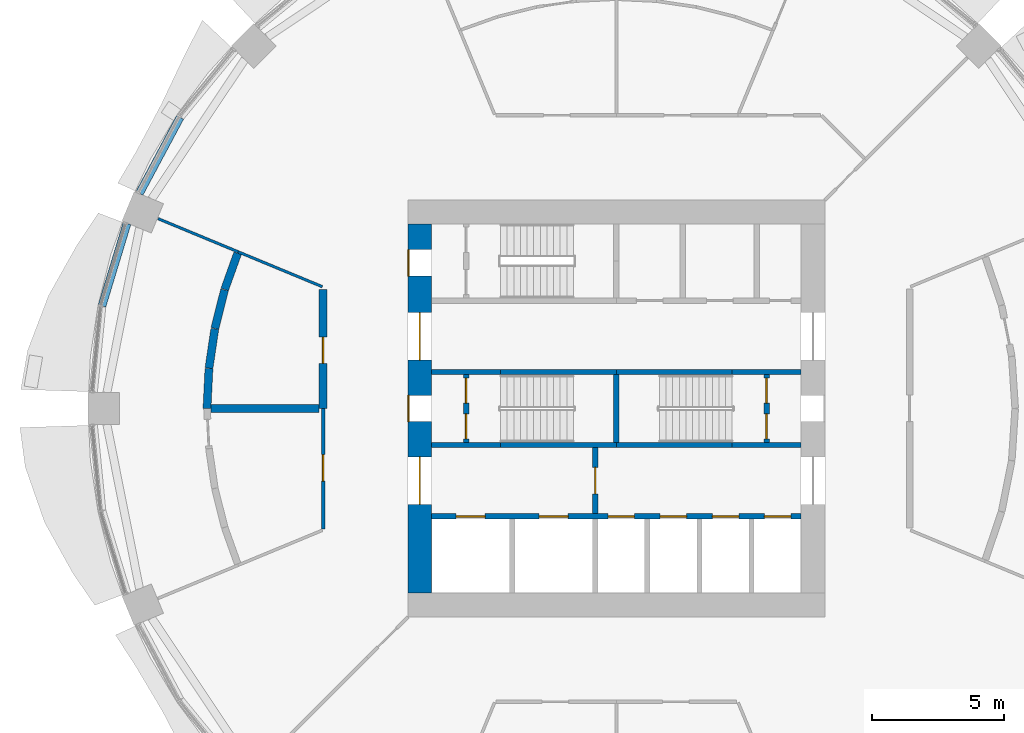
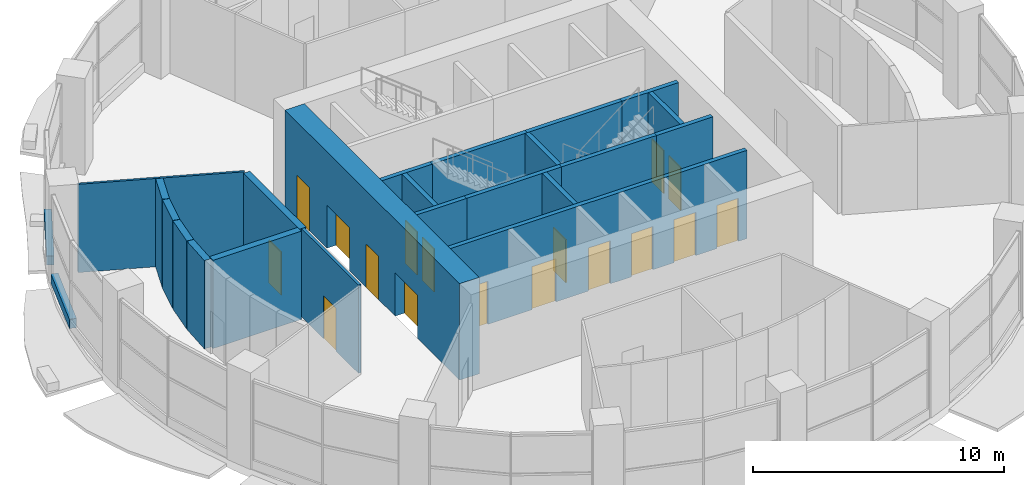
# One storey, part 8 of 14: 25 walls, 17 doors, 17 openings.
"""IFC4 building model written with IfcOpenShell, lengths in metres."""

from ifc_helpers import new_model, si_unit, direction, frame, frame_2d, origin, place, context, subcontext, project, spatial, rectangle, extrude, material, layer, layer_set, type_object, element, fill, save


model = new_model("IFC4")

# Units and contexts
model_context = context("Model", 3, precision=1e-05, world=origin(), true_north=direction((0.0, 1.0)))
body_context = subcontext(model_context, "Body", "Model", "MODEL_VIEW")
ifc_project = project(units=[si_unit("LENGTHUNIT", "METRE"), si_unit("AREAUNIT", "SQUARE_METRE"), si_unit("VOLUMEUNIT", "CUBIC_METRE"), si_unit("PLANEANGLEUNIT", "RADIAN"), si_unit("MASSUNIT", "GRAM", prefix="KILO")], contexts=[model_context])

# Site, building, storey
site_placement = place(None, origin())
site = spatial("IfcSite", under=ifc_project, at=site_placement, CompositionType="ELEMENT")
building_placement = place(site_placement, origin())
building = spatial("IfcBuilding", under=site, at=building_placement, Name="Polderwave Tower", CompositionType="ELEMENT")
storey_placement = place(building_placement, frame((0.0, 0.0, 5.199951171875)))
storey = spatial("IfcBuildingStorey", under=building, at=storey_placement, Name="L01", CompositionType="ELEMENT", Elevation=5.199951171875)

# Wall, openings, doors
ifc_material_1 = material(Name="Concrete C80/95", Category="concrete")
ifc_layer_1 = layer(ifc_material_1, 0.89990234375)
ifc_layer_set_1 = layer_set([ifc_layer_1], Name="CORE WALL 900 C80/95")
wall_type_1 = type_object("IfcWallType", Name="CORE WALL 900 C80/95", PredefinedType="SHEAR", material=ifc_layer_set_1)
wall_1_placement = place(storey_placement, frame((-7.424072265625, -6.97412109375, 0.0), z_axis=(0.0, 0.0, 1.0), x_axis=(0.0, 1.0, 0.0)))
wall_1 = element("IfcWall", 1, at=wall_1_placement, inside=storey, type_object=wall_type_1, Name="ST-CORE-L01-W", PredefinedType="SHEAR", context=body_context, shape_type="SweptSolid", body=[
    extrude(rectangle(XDim=13.9482421875, YDim=0.89990234375, at=frame_2d((6.97412109375, 0.0))), origin(), (0.0, 0.0, 1.0), 4.699951171875),
])
opening_1_placement = place(wall_1_placement, frame((6.47412109375, 0.0, 0.0)))
opening_1 = element("IfcOpeningElement", 2, at=opening_1_placement, cuts=wall_1, Name="Opening L01-D17", PredefinedType="OPENING", context=body_context, shape_type="SweptSolid", body=[
    extrude(rectangle(XDim=1.0, YDim=2.10009765625, at=frame_2d((0.5, 1.050048828125))), frame((0.0, 0.4599609375, 0.0), z_axis=(0.0, -1.0, 0.0), x_axis=(1.0, 0.0, 0.0)), (0.0, 0.0, 1.0), 0.919921875),
])
opening_2_placement = place(wall_1_placement, frame((3.349609375, 0.0, 0.0)))
opening_2 = element("IfcOpeningElement", 3, at=opening_2_placement, cuts=wall_1, Name="Opening L01-D18", PredefinedType="OPENING", context=body_context, shape_type="SweptSolid", body=[
    extrude(rectangle(XDim=1.800048828125, YDim=2.10009765625, at=frame_2d((0.89990234375, 1.050048828125))), frame((0.0, 0.4599609375, 0.0), z_axis=(0.0, -1.0, 0.0), x_axis=(1.0, 0.0, 0.0)), (0.0, 0.0, 1.0), 0.919921875),
])
opening_3_placement = place(wall_1_placement, frame((8.798583984375, 0.0, 0.0)))
opening_3 = element("IfcOpeningElement", 4, at=opening_3_placement, cuts=wall_1, Name="Opening L01-D19", PredefinedType="OPENING", context=body_context, shape_type="SweptSolid", body=[
    extrude(rectangle(XDim=1.800048828125, YDim=2.10009765625, at=frame_2d((0.89990234375, 1.050048828125))), frame((0.0, 0.4599609375, 0.0), z_axis=(0.0, -1.0, 0.0), x_axis=(1.0, 0.0, 0.0)), (0.0, 0.0, 1.0), 0.919921875),
])
opening_4_placement = place(wall_1_placement, frame((11.97412109375, 0.0, 0.0)))
opening_4 = element("IfcOpeningElement", 5, at=opening_4_placement, cuts=wall_1, Name="Opening L01-D20", PredefinedType="OPENING", context=body_context, shape_type="SweptSolid", body=[
    extrude(rectangle(XDim=1.0, YDim=2.10009765625, at=frame_2d((0.5, 1.050048828125))), frame((0.0, 0.4599609375, 0.0), z_axis=(0.0, -1.0, 0.0), x_axis=(1.0, 0.0, 0.0)), (0.0, 0.0, 1.0), 0.919921875),
])
ifc_material_2 = material(Name="Steel fire door", Category="steel")
door_type_1 = type_object("IfcDoorType", Name="Lobby entry door pair 1800", OperationType="DOUBLE_DOOR_SINGLE_SWING", PredefinedType="DOOR", material=ifc_material_2)
door_1_placement = place(opening_2_placement, origin())
door_1 = element("IfcDoor", 6, at=door_1_placement, inside=storey, type_object=door_type_1, Name="Fire-fighting lobby entry door", OperationType="DOUBLE_DOOR_SINGLE_SWING", OverallHeight=2.10009765625, OverallWidth=1.800048828125, PredefinedType="DOOR", context=body_context, shape_type="SweptSolid", body=[
    extrude(rectangle(XDim=1.800048828125, YDim=2.10009765625, at=frame_2d((0.89990234375, 1.050048828125))), frame((0.0, 0.02490234375, 0.0), z_axis=(0.0, -1.0, 0.0), x_axis=(1.0, 0.0, 0.0)), (0.0, 0.0, 1.0), 0.050048828125),
])
fill(opening_2, door_1)
door_2_placement = place(opening_3_placement, origin())
door_2 = element("IfcDoor", 7, at=door_2_placement, inside=storey, type_object=door_type_1, Name="North lobby entry door", OperationType="DOUBLE_DOOR_SINGLE_SWING", OverallHeight=2.10009765625, OverallWidth=1.800048828125, PredefinedType="DOOR", context=body_context, shape_type="SweptSolid", body=[
    extrude(rectangle(XDim=1.800048828125, YDim=2.10009765625, at=frame_2d((0.89990234375, 1.050048828125))), frame((0.0, 0.02490234375, 0.0), z_axis=(0.0, -1.0, 0.0), x_axis=(1.0, 0.0, 0.0)), (0.0, 0.0, 1.0), 0.050048828125),
])
fill(opening_3, door_2)
door_type_2 = type_object("IfcDoorType", Name="Stair door 1000", OperationType="NOTDEFINED", PredefinedType="DOOR", material=ifc_material_2)
door_3_placement = place(opening_1_placement, origin())
door_3 = element("IfcDoor", 8, at=door_3_placement, inside=storey, type_object=door_type_2, Name="Stair A entry door", OperationType="SINGLE_SWING_RIGHT", OverallHeight=2.10009765625, OverallWidth=1.0, PredefinedType="DOOR", context=body_context, shape_type="SweptSolid", body=[
    extrude(rectangle(XDim=1.0, YDim=2.10009765625, at=frame_2d((0.5, 1.050048828125))), frame((0.0, 0.4501953125, 0.0), z_axis=(0.0, -1.0, 0.0), x_axis=(1.0, 0.0, 0.0)), (0.0, 0.0, 1.0), 0.050048828125),
])
fill(opening_1, door_3)
door_4_placement = place(opening_4_placement, origin())
door_4 = element("IfcDoor", 9, at=door_4_placement, inside=storey, type_object=door_type_2, Name="Stair C entry door", OperationType="SINGLE_SWING_RIGHT", OverallHeight=2.10009765625, OverallWidth=1.0, PredefinedType="DOOR", context=body_context, shape_type="SweptSolid", body=[
    extrude(rectangle(XDim=1.0, YDim=2.10009765625, at=frame_2d((0.5, 1.050048828125))), frame((0.0, 0.4501953125, 0.0), z_axis=(0.0, -1.0, 0.0), x_axis=(1.0, 0.0, 0.0)), (0.0, 0.0, 1.0), 0.050048828125),
])
fill(opening_4, door_4)

# Wall, opening, door
ifc_material_3 = material(Name="Insulated sandwich panel")
ifc_layer_2 = layer(ifc_material_3, 0.300048828125)
ifc_layer_set_2 = layer_set([ifc_layer_2], Name="Cold room wall 300 mm insulated panel")
wall_type_2 = type_object("IfcWallType", Name="Cold room wall 300 mm insulated panel", PredefinedType="PARTITIONING", material=ifc_layer_set_2)
wall_2_placement = place(storey_placement, frame((-11.073974609375, 0.0, 0.0), z_axis=(0.0, 0.0, 1.0), x_axis=(0.0, 1.0, 0.0)))
wall_2 = element("IfcWall", 10, at=wall_2_placement, inside=storey, type_object=wall_type_2, Name="IN-L01-W008", PredefinedType="PARTITIONING", context=body_context, shape_type="SweptSolid", body=[
    extrude(rectangle(XDim=4.48681640625, YDim=0.300048828125, at=frame_2d((2.243408203125, 0.0))), origin(), (0.0, 0.0, 1.0), 4.300048828125),
])
opening_5_placement = place(wall_2_placement, frame((1.699951171875, 0.0, 0.0)))
opening_5 = element("IfcOpeningElement", 11, at=opening_5_placement, cuts=wall_2, Name="Opening L01-D56", PredefinedType="OPENING", context=body_context, shape_type="SweptSolid", body=[
    extrude(rectangle(XDim=1.0, YDim=2.10009765625, at=frame_2d((0.5, 1.050048828125))), frame((0.0, 0.159912109375, 0.0), z_axis=(0.0, -1.0, 0.0), x_axis=(1.0, 0.0, 0.0)), (0.0, 0.0, 1.0), 0.320068359375),
])
ifc_material_4 = material(Name="Steel plant door leaf", Category="steel")
door_type_3 = type_object("IfcDoorType", Name="Plant door FD60 1000 x 2100 steel", OperationType="NOTDEFINED", PredefinedType="DOOR", material=ifc_material_4)
door_5_placement = place(opening_5_placement, origin())
door_5 = element("IfcDoor", 12, at=door_5_placement, inside=storey, type_object=door_type_3, Name="Door L01-D56", OperationType="SINGLE_SWING_LEFT", OverallHeight=2.10009765625, OverallWidth=1.0, PredefinedType="DOOR", context=body_context, shape_type="SweptSolid", body=[
    extrude(rectangle(XDim=1.0, YDim=2.10009765625, at=frame_2d((0.5, 1.050048828125))), frame((0.0, 0.02490234375, 0.0), z_axis=(0.0, -1.0, 0.0), x_axis=(1.0, 0.0, 0.0)), (0.0, 0.0, 1.0), 0.050048828125),
])
fill(opening_5, door_5)

# Walls
wall_3_placement = place(storey_placement, frame((-11.22412109375, 0.0, 0.0), z_axis=(0.0, 0.0, 1.0), x_axis=(-1.0, 0.0, 0.0)))
element("IfcWall", 13, at=wall_3_placement, inside=storey, type_object=wall_type_2, Name="IN-L01-W039", PredefinedType="PARTITIONING", context=body_context, shape_type="SweptSolid", body=[
    extrude(rectangle(XDim=4.078369140625, YDim=0.300048828125, at=frame_2d((2.0390625, 0.0))), origin(), (0.0, 0.0, 1.0), 4.300048828125),
])
wall_4_placement = place(storey_placement, frame((-15.4599609375, 0.0, 0.0), z_axis=(0.0, 0.0, 1.0), x_axis=(0.049001943169, 0.998798683202, 0.0)))
element("IfcWall", 14, at=wall_4_placement, inside=storey, type_object=wall_type_2, Name="IN-L01-W040", PredefinedType="PARTITIONING", context=body_context, shape_type="SweptSolid", body=[
    extrude(rectangle(XDim=1.509521484375, YDim=0.300048828125, at=frame_2d((0.7548828125, 0.0))), origin(), (0.0, 0.0, 1.0), 4.300048828125),
])
for number, where, z_axis, x_axis, name in (
    (15, (-15.384521484375, 1.522705078125, 0.0), (0.0, 0.0, 1.0), (0.146743011198, 0.989174650234, 0.0), "IN-L01-W041"),
    (16, (-15.1611328125, 3.023193359375, 0.0), (0.0, 0.0, 1.0), (0.242917928341, 0.970046844276, 0.0), "IN-L01-W042"),
):
    element("IfcWall", number, at=place(storey_placement, frame(where, z_axis=z_axis, x_axis=x_axis)), inside=storey, type_object=wall_type_2, Name=name, PredefinedType="PARTITIONING", context=body_context, shape_type="SweptSolid", body=[
        extrude(rectangle(XDim=1.50244140625, YDim=0.300048828125, at=frame_2d((0.751220703125, 0.0))), origin(), (0.0, 0.0, 1.0), 4.300048828125),
    ])
wall_5_placement = place(storey_placement, frame((-14.791748046875, 4.49462890625, 0.0), z_axis=(0.0, 0.0, 1.0), x_axis=(0.336826132197, 0.941566862559, 0.0)))
element("IfcWall", 17, at=wall_5_placement, inside=storey, type_object=wall_type_2, Name="IN-L01-W043", PredefinedType="PARTITIONING", context=body_context, shape_type="SweptSolid", body=[
    extrude(rectangle(XDim=1.45263671875, YDim=0.300048828125, at=frame_2d((0.726318359375, 0.0))), origin(), (0.0, 0.0, 1.0), 4.300048828125),
])
ifc_material_5 = material(Name="Concrete C50/60 (board-marked)", Category="concrete")
ifc_layer_3 = layer(ifc_material_5, 0.300048828125)
ifc_layer_set_3 = layer_set([ifc_layer_3], Name="Concrete spandrel upstand C50/60")
wall_type_3 = type_object("IfcWallType", Name="Concrete spandrel upstand C50/60", PredefinedType="SOLIDWALL", material=ifc_layer_set_3)
wall_6_placement = place(storey_placement, frame((-16.47802734375, 10.992919921875, 0.0), z_axis=(0.0, 0.0, 1.0), x_axis=(-0.471308820961, -0.881968250723, 0.0)))
element("IfcWall", 18, at=wall_6_placement, inside=storey, type_object=wall_type_3, Name="Spandrel L01 7b", PredefinedType="SOLIDWALL", context=body_context, shape_type="SweptSolid", body=[
    extrude(rectangle(XDim=3.25244140625, YDim=0.300048828125, at=frame_2d((1.626220703125, 0.0))), origin(), (0.0, 0.0, 1.0), 0.449951171875),
])
wall_7_placement = place(storey_placement, frame((-18.48046875, 6.990478515625, 0.0), z_axis=(0.0, 0.0, 1.0), x_axis=(-0.290301164038, -0.956935334366, 0.0)))
element("IfcWall", 19, at=wall_7_placement, inside=storey, type_object=wall_type_3, Name="Spandrel L01 8a", PredefinedType="SOLIDWALL", context=body_context, shape_type="SweptSolid", body=[
    extrude(rectangle(XDim=3.252197265625, YDim=0.300048828125, at=frame_2d((1.6259765625, 0.0))), origin(), (0.0, 0.0, 1.0), 0.449951171875),
])

# Wall, opening, door
ifc_material_6 = material(Name="Gypsum board partition")
ifc_layer_4 = layer(ifc_material_6, 0.199951171875)
ifc_layer_set_4 = layer_set([ifc_layer_4], Name="Core room partition 200")
wall_type_4 = type_object("IfcWallType", Name="Core room partition 200", PredefinedType="PARTITIONING", material=ifc_layer_set_4)
wall_8_placement = place(storey_placement, frame((-0.800048828125, -3.97412109375, 0.0), z_axis=(0.0, 0.0, 1.0), x_axis=(0.0, 1.0, 0.0)))
wall_8 = element("IfcWall", 20, at=wall_8_placement, inside=storey, type_object=wall_type_4, Name="L01 fire-fighting lobby wall", PredefinedType="PARTITIONING", context=body_context, shape_type="SweptSolid", body=[
    extrude(rectangle(XDim=2.4990234375, YDim=0.199951171875, at=frame_2d((1.24951171875, 0.0))), origin(), (0.0, 0.0, 1.0), 4.300048828125),
])
opening_6_placement = place(wall_8_placement, frame((0.74951171875, 0.0, 0.0)))
opening_6 = element("IfcOpeningElement", 21, at=opening_6_placement, cuts=wall_8, Name="Opening L01-D13", PredefinedType="OPENING", context=body_context, shape_type="SweptSolid", body=[
    extrude(rectangle(XDim=1.0, YDim=2.10009765625, at=frame_2d((0.5, 1.050048828125))), frame((0.0, 0.10986328125, 0.0), z_axis=(0.0, -1.0, 0.0), x_axis=(1.0, 0.0, 0.0)), (0.0, 0.0, 1.0), 0.219970703125),
])
door_type_4 = type_object("IfcDoorType", Name="Lobby fire door 1000", OperationType="NOTDEFINED", PredefinedType="DOOR", material=ifc_material_2)
door_6_placement = place(opening_6_placement, frame((1.0, 0.0, 0.0), z_axis=(0.0, 0.0, 1.0), x_axis=(-1.0, 0.0, 0.0)))
door_6 = element("IfcDoor", 22, at=door_6_placement, inside=storey, type_object=door_type_4, Name="Fire-fighting lobby door", OperationType="SINGLE_SWING_LEFT", OverallHeight=2.10009765625, OverallWidth=1.0, PredefinedType="DOOR", context=body_context, shape_type="SweptSolid", body=[
    extrude(rectangle(XDim=1.0, YDim=2.10009765625, at=frame_2d((0.5, 1.050048828125))), frame((0.0, 0.02490234375, 0.0), z_axis=(0.0, -1.0, 0.0), x_axis=(1.0, 0.0, 0.0)), (0.0, 0.0, 1.0), 0.050048828125),
])
fill(opening_6, door_6)

# Wall, openings, doors
wall_9_placement = place(storey_placement, frame((-5.674072265625, -1.27490234375, 0.0), z_axis=(0.0, 0.0, 1.0), x_axis=(0.0, 1.0, 0.0)))
wall_9 = element("IfcWall", 23, at=wall_9_placement, inside=storey, type_object=wall_type_4, Name="L01 smoke lobby wall A", PredefinedType="PARTITIONING", context=body_context, shape_type="SweptSolid", body=[
    extrude(rectangle(XDim=2.5498046875, YDim=0.199951171875, at=frame_2d((1.27490234375, 0.0))), origin(), (0.0, 0.0, 1.0), 4.300048828125),
])
opening_7_placement = place(wall_9_placement, frame((0.125, 0.0, 0.0)))
opening_7 = element("IfcOpeningElement", 24, at=opening_7_placement, cuts=wall_9, Name="Opening L01-D07", PredefinedType="OPENING", context=body_context, shape_type="SweptSolid", body=[
    extrude(rectangle(XDim=0.949951171875, YDim=2.10009765625, at=frame_2d((0.47509765625, 1.050048828125))), frame((0.0, 0.10986328125, 0.0), z_axis=(0.0, -1.0, 0.0), x_axis=(1.0, 0.0, 0.0)), (0.0, 0.0, 1.0), 0.219970703125),
])
opening_8_placement = place(wall_9_placement, frame((1.47509765625, 0.0, 0.0)))
opening_8 = element("IfcOpeningElement", 25, at=opening_8_placement, cuts=wall_9, Name="Opening L01-D08", PredefinedType="OPENING", context=body_context, shape_type="SweptSolid", body=[
    extrude(rectangle(XDim=0.949951171875, YDim=2.10009765625, at=frame_2d((0.47509765625, 1.050048828125))), frame((0.0, 0.10986328125, 0.0), z_axis=(0.0, -1.0, 0.0), x_axis=(1.0, 0.0, 0.0)), (0.0, 0.0, 1.0), 0.219970703125),
])
door_type_5 = type_object("IfcDoorType", Name="Smoke lobby door 950", OperationType="NOTDEFINED", PredefinedType="DOOR", material=ifc_material_2)
door_7_placement = place(opening_7_placement, origin())
door_7 = element("IfcDoor", 26, at=door_7_placement, inside=storey, type_object=door_type_5, Name="Stair A smoke lobby inner door", OperationType="SINGLE_SWING_LEFT", OverallHeight=2.10009765625, OverallWidth=0.949951171875, PredefinedType="DOOR", context=body_context, shape_type="SweptSolid", body=[
    extrude(rectangle(XDim=0.949951171875, YDim=2.10009765625, at=frame_2d((0.47509765625, 1.050048828125))), frame((0.0, 0.02490234375, 0.0), z_axis=(0.0, -1.0, 0.0), x_axis=(1.0, 0.0, 0.0)), (0.0, 0.0, 1.0), 0.050048828125),
])
fill(opening_7, door_7)
door_8_placement = place(opening_8_placement, origin())
door_8 = element("IfcDoor", 27, at=door_8_placement, inside=storey, type_object=door_type_5, Name="Stair A smoke lobby inner door", OperationType="SINGLE_SWING_RIGHT", OverallHeight=2.10009765625, OverallWidth=0.949951171875, PredefinedType="DOOR", context=body_context, shape_type="SweptSolid", body=[
    extrude(rectangle(XDim=0.949951171875, YDim=2.10009765625, at=frame_2d((0.47509765625, 1.050048828125))), frame((0.0, 0.02490234375, 0.0), z_axis=(0.0, -1.0, 0.0), x_axis=(1.0, 0.0, 0.0)), (0.0, 0.0, 1.0), 0.050048828125),
])
fill(opening_8, door_8)

wall_10_placement = place(storey_placement, frame((5.674072265625, -1.27490234375, 0.0), z_axis=(0.0, 0.0, 1.0), x_axis=(0.0, 1.0, 0.0)))
wall_10 = element("IfcWall", 28, at=wall_10_placement, inside=storey, type_object=wall_type_4, Name="L01 smoke lobby wall B", PredefinedType="PARTITIONING", context=body_context, shape_type="SweptSolid", body=[
    extrude(rectangle(XDim=2.5498046875, YDim=0.199951171875, at=frame_2d((1.27490234375, 0.0))), origin(), (0.0, 0.0, 1.0), 4.300048828125),
])
opening_9_placement = place(wall_10_placement, frame((0.125, 0.0, 0.0)))
opening_9 = element("IfcOpeningElement", 29, at=opening_9_placement, cuts=wall_10, Name="Opening L01-D09", PredefinedType="OPENING", context=body_context, shape_type="SweptSolid", body=[
    extrude(rectangle(XDim=0.949951171875, YDim=2.10009765625, at=frame_2d((0.47509765625, 1.050048828125))), frame((0.0, 0.10986328125, 0.0), z_axis=(0.0, -1.0, 0.0), x_axis=(1.0, 0.0, 0.0)), (0.0, 0.0, 1.0), 0.219970703125),
])
opening_10_placement = place(wall_10_placement, frame((1.47509765625, 0.0, 0.0)))
opening_10 = element("IfcOpeningElement", 30, at=opening_10_placement, cuts=wall_10, Name="Opening L01-D10", PredefinedType="OPENING", context=body_context, shape_type="SweptSolid", body=[
    extrude(rectangle(XDim=0.949951171875, YDim=2.10009765625, at=frame_2d((0.47509765625, 1.050048828125))), frame((0.0, 0.10986328125, 0.0), z_axis=(0.0, -1.0, 0.0), x_axis=(1.0, 0.0, 0.0)), (0.0, 0.0, 1.0), 0.219970703125),
])
door_9_placement = place(opening_9_placement, frame((0.949951171875, 0.0, 0.0), z_axis=(0.0, 0.0, 1.0), x_axis=(-1.0, 0.0, 0.0)))
door_9 = element("IfcDoor", 31, at=door_9_placement, inside=storey, type_object=door_type_5, Name="Stair B smoke lobby inner door", OperationType="SINGLE_SWING_RIGHT", OverallHeight=2.10009765625, OverallWidth=0.949951171875, PredefinedType="DOOR", context=body_context, shape_type="SweptSolid", body=[
    extrude(rectangle(XDim=0.949951171875, YDim=2.10009765625, at=frame_2d((0.47509765625, 1.050048828125))), frame((0.0, 0.02490234375, 0.0), z_axis=(0.0, -1.0, 0.0), x_axis=(1.0, 0.0, 0.0)), (0.0, 0.0, 1.0), 0.050048828125),
])
fill(opening_9, door_9)
door_10_placement = place(opening_10_placement, frame((0.949951171875, 0.0, 0.0), z_axis=(0.0, 0.0, 1.0), x_axis=(-1.0, 0.0, 0.0)))
door_10 = element("IfcDoor", 32, at=door_10_placement, inside=storey, type_object=door_type_5, Name="Stair B smoke lobby inner door", OperationType="SINGLE_SWING_LEFT", OverallHeight=2.10009765625, OverallWidth=0.949951171875, PredefinedType="DOOR", context=body_context, shape_type="SweptSolid", body=[
    extrude(rectangle(XDim=0.949951171875, YDim=2.10009765625, at=frame_2d((0.47509765625, 1.050048828125))), frame((0.0, 0.02490234375, 0.0), z_axis=(0.0, -1.0, 0.0), x_axis=(1.0, 0.0, 0.0)), (0.0, 0.0, 1.0), 0.050048828125),
])
fill(opening_10, door_10)

ifc_material_7 = material(Name="Concrete C50/60", Category="concrete")
ifc_layer_5 = layer(ifc_material_7, 0.199951171875)
ifc_layer_set_5 = layer_set([ifc_layer_5], Name="Core web wall 200")
wall_type_5 = type_object("IfcWallType", Name="Core web wall 200", PredefinedType="SHEAR", material=ifc_layer_set_5)
wall_11_placement = place(storey_placement, frame((-6.97412109375, -4.073974609375, 0.0), z_axis=(0.0, 0.0, 1.0), x_axis=(1.0, 0.0, 0.0)))
wall_11 = element("IfcWall", 33, at=wall_11_placement, inside=storey, type_object=wall_type_5, Name="L01 south front wall", PredefinedType="SHEAR", context=body_context, shape_type="SweptSolid", body=[
    extrude(rectangle(XDim=13.9482421875, YDim=0.199951171875, at=frame_2d((6.97412109375, 0.0))), origin(), (0.0, 0.0, 1.0), 4.300048828125),
])
opening_11_placement = place(wall_11_placement, frame((0.91845703125, 0.0, 0.0)))
opening_11 = element("IfcOpeningElement", 34, at=opening_11_placement, cuts=wall_11, Name="Opening L01-D01", PredefinedType="OPENING", context=body_context, shape_type="SweptSolid", body=[
    extrude(rectangle(XDim=1.10009765625, YDim=2.10009765625, at=frame_2d((0.550048828125, 1.050048828125))), frame((0.0, 0.10986328125, 0.0), z_axis=(0.0, -1.0, 0.0), x_axis=(1.0, 0.0, 0.0)), (0.0, 0.0, 1.0), 0.219970703125),
])
opening_12_placement = place(wall_11_placement, frame((4.055419921875, 0.0, 0.0)))
opening_12 = element("IfcOpeningElement", 35, at=opening_12_placement, cuts=wall_11, Name="Opening L01-D02", PredefinedType="OPENING", context=body_context, shape_type="SweptSolid", body=[
    extrude(rectangle(XDim=1.10009765625, YDim=2.10009765625, at=frame_2d((0.550048828125, 1.050048828125))), frame((0.0, 0.10986328125, 0.0), z_axis=(0.0, -1.0, 0.0), x_axis=(1.0, 0.0, 0.0)), (0.0, 0.0, 1.0), 0.219970703125),
])
opening_13_placement = place(wall_11_placement, frame((6.658203125, 0.0, 0.0)))
opening_13 = element("IfcOpeningElement", 36, at=opening_13_placement, cuts=wall_11, Name="Opening L01-D03", PredefinedType="OPENING", context=body_context, shape_type="SweptSolid", body=[
    extrude(rectangle(XDim=1.0, YDim=2.10009765625, at=frame_2d((0.5, 1.050048828125))), frame((0.0, 0.10986328125, 0.0), z_axis=(0.0, -1.0, 0.0), x_axis=(1.0, 0.0, 0.0)), (0.0, 0.0, 1.0), 0.219970703125),
])
opening_14_placement = place(wall_11_placement, frame((8.626708984375, 0.0, 0.0)))
opening_14 = element("IfcOpeningElement", 37, at=opening_14_placement, cuts=wall_11, Name="Opening L01-D04", PredefinedType="OPENING", context=body_context, shape_type="SweptSolid", body=[
    extrude(rectangle(XDim=1.0, YDim=2.10009765625, at=frame_2d((0.5, 1.050048828125))), frame((0.0, 0.10986328125, 0.0), z_axis=(0.0, -1.0, 0.0), x_axis=(1.0, 0.0, 0.0)), (0.0, 0.0, 1.0), 0.219970703125),
])
opening_15_placement = place(wall_11_placement, frame((10.59521484375, 0.0, 0.0)))
opening_15 = element("IfcOpeningElement", 38, at=opening_15_placement, cuts=wall_11, Name="Opening L01-D05", PredefinedType="OPENING", context=body_context, shape_type="SweptSolid", body=[
    extrude(rectangle(XDim=1.0, YDim=2.10009765625, at=frame_2d((0.5, 1.050048828125))), frame((0.0, 0.10986328125, 0.0), z_axis=(0.0, -1.0, 0.0), x_axis=(1.0, 0.0, 0.0)), (0.0, 0.0, 1.0), 0.219970703125),
])
opening_16_placement = place(wall_11_placement, frame((12.563720703125, 0.0, 0.0)))
opening_16 = element("IfcOpeningElement", 39, at=opening_16_placement, cuts=wall_11, Name="Opening L01-D06", PredefinedType="OPENING", context=body_context, shape_type="SweptSolid", body=[
    extrude(rectangle(XDim=1.0, YDim=2.10009765625, at=frame_2d((0.5, 1.050048828125))), frame((0.0, 0.10986328125, 0.0), z_axis=(0.0, -1.0, 0.0), x_axis=(1.0, 0.0, 0.0)), (0.0, 0.0, 1.0), 0.219970703125),
])
ifc_material_8 = material(Name="Stainless steel", Category="steel")
door_type_6 = type_object("IfcDoorType", Name="Fire-fighting lift landing door 1100", OperationType="DOUBLE_DOOR_SLIDING", PredefinedType="DOOR", material=ifc_material_8)
door_11_placement = place(opening_11_placement, origin())
door_11 = element("IfcDoor", 40, at=door_11_placement, inside=storey, type_object=door_type_6, Name="Fire-fighting lift FF1 landing door", OperationType="DOUBLE_DOOR_SLIDING", OverallHeight=2.10009765625, OverallWidth=1.10009765625, PredefinedType="DOOR", context=body_context, shape_type="SweptSolid", body=[
    extrude(rectangle(XDim=1.10009765625, YDim=2.10009765625, at=frame_2d((0.550048828125, 1.050048828125))), frame((0.0, 0.02490234375, 0.0), z_axis=(0.0, -1.0, 0.0), x_axis=(1.0, 0.0, 0.0)), (0.0, 0.0, 1.0), 0.050048828125),
])
fill(opening_11, door_11)
door_12_placement = place(opening_12_placement, origin())
door_12 = element("IfcDoor", 41, at=door_12_placement, inside=storey, type_object=door_type_6, Name="Fire-fighting lift FF2 landing door", OperationType="DOUBLE_DOOR_SLIDING", OverallHeight=2.10009765625, OverallWidth=1.10009765625, PredefinedType="DOOR", context=body_context, shape_type="SweptSolid", body=[
    extrude(rectangle(XDim=1.10009765625, YDim=2.10009765625, at=frame_2d((0.550048828125, 1.050048828125))), frame((0.0, 0.02490234375, 0.0), z_axis=(0.0, -1.0, 0.0), x_axis=(1.0, 0.0, 0.0)), (0.0, 0.0, 1.0), 0.050048828125),
])
fill(opening_12, door_12)
door_type_7 = type_object("IfcDoorType", Name="Lift landing door 1000", OperationType="DOUBLE_DOOR_SLIDING", PredefinedType="DOOR", material=ifc_material_8)
door_13_placement = place(opening_13_placement, origin())
door_13 = element("IfcDoor", 42, at=door_13_placement, inside=storey, type_object=door_type_7, Name="Lift LL1 landing door", OperationType="DOUBLE_DOOR_SLIDING", OverallHeight=2.10009765625, OverallWidth=1.0, PredefinedType="DOOR", context=body_context, shape_type="SweptSolid", body=[
    extrude(rectangle(XDim=1.0, YDim=2.10009765625, at=frame_2d((0.5, 1.050048828125))), frame((0.0, 0.02490234375, 0.0), z_axis=(0.0, -1.0, 0.0), x_axis=(1.0, 0.0, 0.0)), (0.0, 0.0, 1.0), 0.050048828125),
])
fill(opening_13, door_13)
door_14_placement = place(opening_14_placement, origin())
door_14 = element("IfcDoor", 43, at=door_14_placement, inside=storey, type_object=door_type_7, Name="Lift LL2 landing door", OperationType="DOUBLE_DOOR_SLIDING", OverallHeight=2.10009765625, OverallWidth=1.0, PredefinedType="DOOR", context=body_context, shape_type="SweptSolid", body=[
    extrude(rectangle(XDim=1.0, YDim=2.10009765625, at=frame_2d((0.5, 1.050048828125))), frame((0.0, 0.02490234375, 0.0), z_axis=(0.0, -1.0, 0.0), x_axis=(1.0, 0.0, 0.0)), (0.0, 0.0, 1.0), 0.050048828125),
])
fill(opening_14, door_14)
door_15_placement = place(opening_15_placement, origin())
door_15 = element("IfcDoor", 44, at=door_15_placement, inside=storey, type_object=door_type_7, Name="Lift LL3 landing door", OperationType="DOUBLE_DOOR_SLIDING", OverallHeight=2.10009765625, OverallWidth=1.0, PredefinedType="DOOR", context=body_context, shape_type="SweptSolid", body=[
    extrude(rectangle(XDim=1.0, YDim=2.10009765625, at=frame_2d((0.5, 1.050048828125))), frame((0.0, 0.02490234375, 0.0), z_axis=(0.0, -1.0, 0.0), x_axis=(1.0, 0.0, 0.0)), (0.0, 0.0, 1.0), 0.050048828125),
])
fill(opening_15, door_15)
door_16_placement = place(opening_16_placement, origin())
door_16 = element("IfcDoor", 45, at=door_16_placement, inside=storey, type_object=door_type_7, Name="Lift LL4 landing door", OperationType="DOUBLE_DOOR_SLIDING", OverallHeight=2.10009765625, OverallWidth=1.0, PredefinedType="DOOR", context=body_context, shape_type="SweptSolid", body=[
    extrude(rectangle(XDim=1.0, YDim=2.10009765625, at=frame_2d((0.5, 1.050048828125))), frame((0.0, 0.02490234375, 0.0), z_axis=(0.0, -1.0, 0.0), x_axis=(1.0, 0.0, 0.0)), (0.0, 0.0, 1.0), 0.050048828125),
])
fill(opening_16, door_16)

# Walls
wall_12_placement = place(storey_placement, frame((-6.97412109375, -1.375, 0.0), z_axis=(0.0, 0.0, 1.0), x_axis=(1.0, 0.0, 0.0)))
element("IfcWall", 46, at=wall_12_placement, inside=storey, type_object=wall_type_5, Name="L01 south stair wall 1", PredefinedType="SHEAR", context=body_context, shape_type="SweptSolid", body=[
    extrude(rectangle(XDim=2.60009765625, YDim=0.199951171875, at=frame_2d((1.300048828125, 0.0))), origin(), (0.0, 0.0, 1.0), 4.300048828125),
])
for number, where, z_axis, x_axis, name in (
    (47, (-4.3740234375, -1.375, 0.0), (0.0, 0.0, 1.0), (1.0, 0.0, 0.0), "L01 south stair wall 2"),
    (48, (0.0, -1.375, 0.0), (0.0, 0.0, 1.0), (1.0, 0.0, 0.0), "L01 south stair wall 3"),
):
    element("IfcWall", number, at=place(storey_placement, frame(where, z_axis=z_axis, x_axis=x_axis)), inside=storey, type_object=wall_type_5, Name=name, PredefinedType="SHEAR", context=body_context, shape_type="SweptSolid", body=[
        extrude(rectangle(XDim=4.3740234375, YDim=0.199951171875, at=frame_2d((2.18701171875, 0.0))), origin(), (0.0, 0.0, 1.0), 4.300048828125),
    ])
for number, where, z_axis, x_axis, name in (
    (49, (4.3740234375, -1.375, 0.0), (0.0, 0.0, 1.0), (1.0, 0.0, 0.0), "L01 south stair wall 4"),
    (50, (-6.97412109375, 1.375, 0.0), (0.0, 0.0, 1.0), (1.0, 0.0, 0.0), "L01 north stair wall 1"),
):
    element("IfcWall", number, at=place(storey_placement, frame(where, z_axis=z_axis, x_axis=x_axis)), inside=storey, type_object=wall_type_5, Name=name, PredefinedType="SHEAR", context=body_context, shape_type="SweptSolid", body=[
        extrude(rectangle(XDim=2.60009765625, YDim=0.199951171875, at=frame_2d((1.300048828125, 0.0))), origin(), (0.0, 0.0, 1.0), 4.300048828125),
    ])
for number, where, z_axis, x_axis, name in (
    (51, (-4.3740234375, 1.375, 0.0), (0.0, 0.0, 1.0), (1.0, 0.0, 0.0), "L01 north stair wall 2"),
    (52, (0.0, 1.375, 0.0), (0.0, 0.0, 1.0), (1.0, 0.0, 0.0), "L01 north stair wall 3"),
):
    element("IfcWall", number, at=place(storey_placement, frame(where, z_axis=z_axis, x_axis=x_axis)), inside=storey, type_object=wall_type_5, Name=name, PredefinedType="SHEAR", context=body_context, shape_type="SweptSolid", body=[
        extrude(rectangle(XDim=4.3740234375, YDim=0.199951171875, at=frame_2d((2.18701171875, 0.0))), origin(), (0.0, 0.0, 1.0), 4.300048828125),
    ])
wall_13_placement = place(storey_placement, frame((4.3740234375, 1.375, 0.0), z_axis=(0.0, 0.0, 1.0), x_axis=(1.0, 0.0, 0.0)))
element("IfcWall", 53, at=wall_13_placement, inside=storey, type_object=wall_type_5, Name="L01 north stair wall 4", PredefinedType="SHEAR", context=body_context, shape_type="SweptSolid", body=[
    extrude(rectangle(XDim=2.60009765625, YDim=0.199951171875, at=frame_2d((1.300048828125, 0.0))), origin(), (0.0, 0.0, 1.0), 4.300048828125),
])
wall_14_placement = place(storey_placement, frame((0.0, -1.27490234375, 0.0), z_axis=(0.0, 0.0, 1.0), x_axis=(0.0, 1.0, 0.0)))
element("IfcWall", 54, at=wall_14_placement, inside=storey, type_object=wall_type_5, Name="L01 wall between the stairs", PredefinedType="SHEAR", context=body_context, shape_type="SweptSolid", body=[
    extrude(rectangle(XDim=2.5498046875, YDim=0.199951171875, at=frame_2d((1.27490234375, 0.0))), origin(), (0.0, 0.0, 1.0), 4.300048828125),
])

# Wall, opening, door
ifc_material_9 = material(Name="Fire-resisting board on steel studs", Category="steel")
ifc_layer_6 = layer(ifc_material_9, 0.125)
ifc_layer_set_6 = layer_set([ifc_layer_6], Name="Corridor wall 125 mm EI 60")
wall_type_6 = type_object("IfcWallType", Name="Corridor wall 125 mm EI 60", PredefinedType="PARTITIONING", material=ifc_layer_set_6)
wall_15_placement = place(storey_placement, frame((-11.073974609375, -4.545166015625, 0.0), z_axis=(0.0, 0.0, 1.0), x_axis=(0.0, 1.0, 0.0)))
wall_15 = element("IfcWall", 55, at=wall_15_placement, inside=storey, type_object=wall_type_6, Name="IN-L01-W009", PredefinedType="PARTITIONING", context=body_context, shape_type="SweptSolid", body=[
    extrude(rectangle(XDim=4.545166015625, YDim=0.125, at=frame_2d((2.2724609375, 0.0))), origin(), (0.0, 0.0, 1.0), 4.300048828125),
])
opening_17_placement = place(wall_15_placement, frame((1.800048828125, 0.0, 0.0)))
opening_17 = element("IfcOpeningElement", 56, at=opening_17_placement, cuts=wall_15, Name="Opening L01-D57", PredefinedType="OPENING", context=body_context, shape_type="SweptSolid", body=[
    extrude(rectangle(XDim=1.0, YDim=2.10009765625, at=frame_2d((0.5, 1.050048828125))), frame((0.0, 0.072509765625, 0.0), z_axis=(0.0, -1.0, 0.0), x_axis=(1.0, 0.0, 0.0)), (0.0, 0.0, 1.0), 0.14501953125),
])
ifc_material_10 = material(Name="Timber fire door leaf", Category="wood")
door_type_8 = type_object("IfcDoorType", Name="Fire door FD30S 1000 x 2100", OperationType="NOTDEFINED", PredefinedType="DOOR", material=ifc_material_10)
door_17_placement = place(opening_17_placement, origin())
door_17 = element("IfcDoor", 57, at=door_17_placement, inside=storey, type_object=door_type_8, Name="Door L01-D57", OperationType="SINGLE_SWING_RIGHT", OverallHeight=2.10009765625, OverallWidth=1.0, PredefinedType="DOOR", context=body_context, shape_type="SweptSolid", body=[
    extrude(rectangle(XDim=1.0, YDim=2.10009765625, at=frame_2d((0.5, 1.050048828125))), frame((0.0, 0.02490234375, 0.0), z_axis=(0.0, -1.0, 0.0), x_axis=(1.0, 0.0, 0.0)), (0.0, 0.0, 1.0), 0.050048828125),
])
fill(opening_17, door_17)

# Walls
ifc_material_11 = material(Name="Plasterboard on steel studs", Category="steel")
ifc_layer_7 = layer(ifc_material_11, 0.10009765625)
ifc_layer_set_7 = layer_set([ifc_layer_7], Name="Partition 100 mm plasterboard on steel studs")
wall_type_7 = type_object("IfcWallType", Name="Partition 100 mm plasterboard on steel studs", PredefinedType="PARTITIONING", material=ifc_layer_set_7)
wall_16_placement = place(storey_placement, frame((-11.10498046875, 4.599853515625, 0.0), z_axis=(0.0, 0.0, 1.0), x_axis=(-0.92388535755, 0.382669369174, 0.0)))
element("IfcWall", 58, at=wall_16_placement, inside=storey, type_object=wall_type_7, Name="IN-L01-W037", PredefinedType="PARTITIONING", context=body_context, shape_type="SweptSolid", body=[
    extrude(rectangle(XDim=3.43994140625, YDim=0.10009765625, at=frame_2d((1.719970703125, 0.0))), origin(), (0.0, 0.0, 1.0), 4.300048828125),
])
wall_17_placement = place(storey_placement, frame((-14.283203125, 5.916259765625, 0.0), z_axis=(0.0, 0.0, 1.0), x_axis=(-0.923865769093, 0.382716658507, 0.0)))
element("IfcWall", 59, at=wall_17_placement, inside=storey, type_object=wall_type_7, Name="IN-L01-W038", PredefinedType="PARTITIONING", context=body_context, shape_type="SweptSolid", body=[
    extrude(rectangle(XDim=3.27001953125, YDim=0.10009765625, at=frame_2d((1.635009765625, 0.0))), origin(), (0.0, 0.0, 1.0), 4.300048828125),
])

save(model, "model.ifc")
